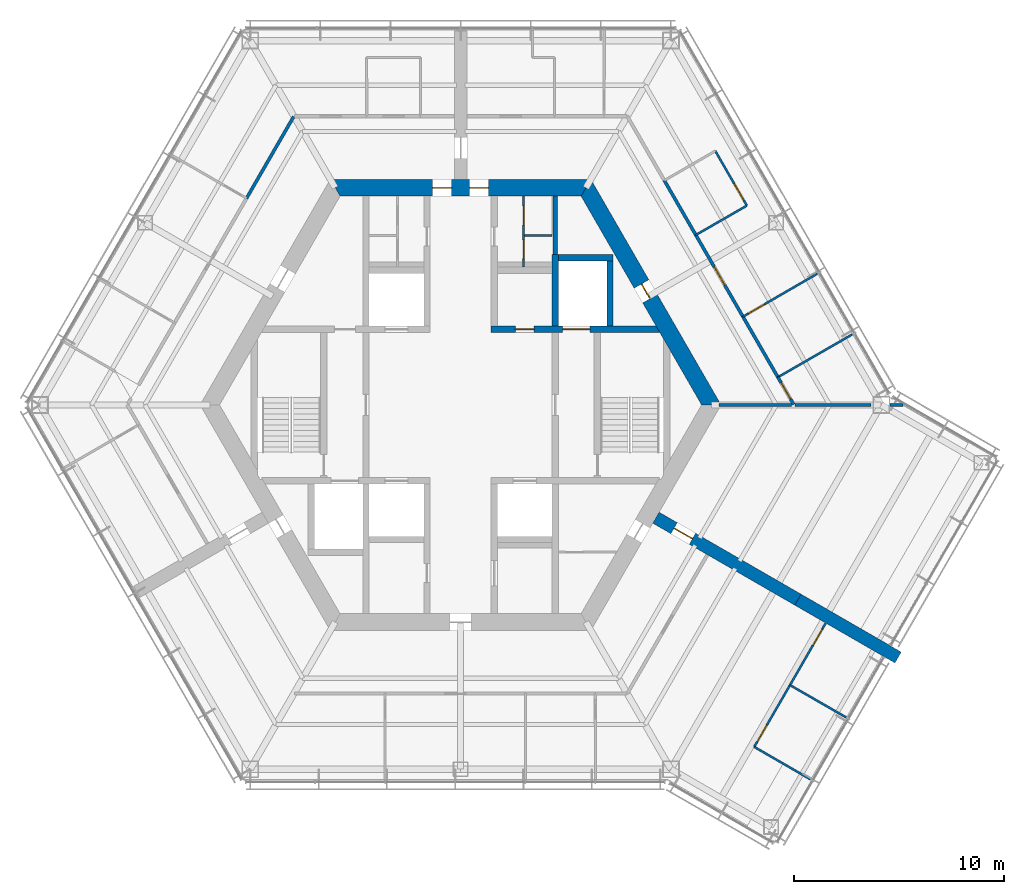
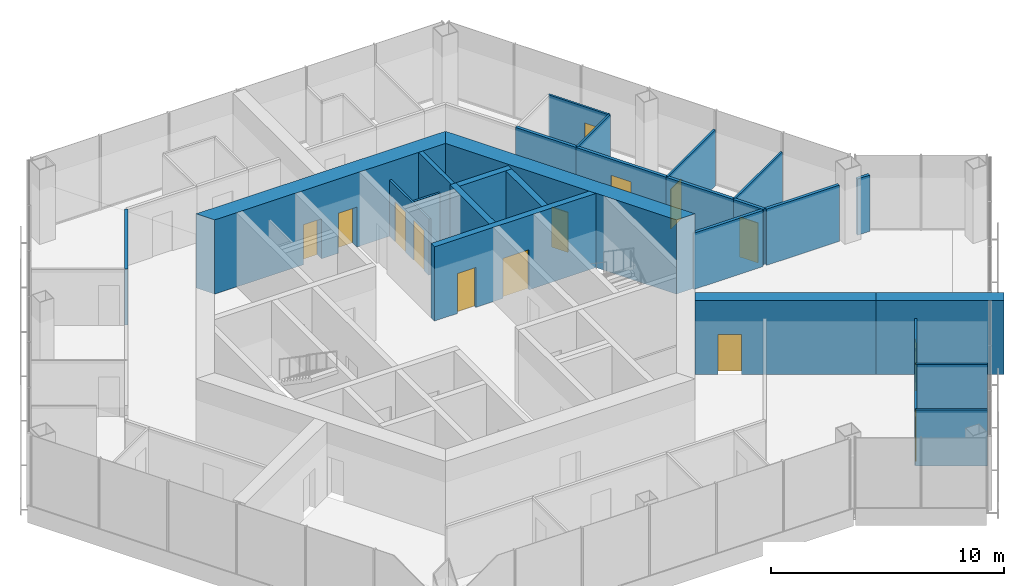
# One storey, part 9 of 13: 27 walls, 14 doors, 14 openings.
"""IFC4 building model written with IfcOpenShell, lengths in metres."""

from ifc_helpers import new_model, si_unit, direction, frame, frame_2d, origin, place, context, subcontext, project, spatial, polyline, rectangle, outline, extrude, material, layer, layer_set, type_object, element, fill, save


model = new_model("IFC4")

# Units and contexts
model_context = context("Model", 3, precision=1e-05, world=origin(), true_north=direction((0.0, 1.0)))
body_context = subcontext(model_context, "Body", "Model", "MODEL_VIEW")
ifc_project = project(units=[si_unit("LENGTHUNIT", "METRE"), si_unit("AREAUNIT", "SQUARE_METRE"), si_unit("VOLUMEUNIT", "CUBIC_METRE"), si_unit("PLANEANGLEUNIT", "RADIAN"), si_unit("MASSUNIT", "GRAM", prefix="KILO")], contexts=[model_context])

# Site, building, storey
site_placement = place(None, origin())
site = spatial("IfcSite", under=ifc_project, at=site_placement, CompositionType="ELEMENT")
building_placement = place(site_placement, origin())
building = spatial("IfcBuilding", under=site, at=building_placement, Name="Kasaneha Research Tower", CompositionType="ELEMENT")
storey_placement = place(building_placement, frame((0.0, 0.0, 275.199951171875)))
storey = spatial("IfcBuildingStorey", under=building, at=storey_placement, Name="L69", CompositionType="ELEMENT", Elevation=275.199951171875)

# Wall, openings, doors
ifc_material_1 = material(Name="Concrete Fc60", Category="concrete")
ifc_layer_1 = layer(ifc_material_1, 0.300048828125)
ifc_layer_set_1 = layer_set([ifc_layer_1], Name="Core internal wall 300 Fc60")
wall_type_1 = type_object("IfcWallType", Name="Core internal wall 300 Fc60", PredefinedType="SHEAR", material=ifc_layer_set_1)
wall_1_placement = place(storey_placement, frame((1.449951171875, 3.60009765625, 0.0), z_axis=(0.0, 0.0, 1.0), x_axis=(1.0, 0.0, 0.0)))
wall_1 = element("IfcWall", 1, at=wall_1_placement, inside=storey, type_object=wall_type_1, Name="Core wall W1E L69", PredefinedType="SHEAR", context=body_context, shape_type="SweptSolid", body=[
    extrude(outline(polyline([(0.0, -0.14990234375), (1.14990234375, -0.14990234375), (2.0498046875, -0.14990234375), (3.39990234375, -0.14990234375), (4.699951171875, -0.14990234375), (8.0185546875, -0.14990234375), (7.84521484375, 0.14990234375), (4.699951171875, 0.14990234375), (3.39990234375, 0.14990234375), (2.0498046875, 0.14990234375), (1.14990234375, 0.14990234375), (0.0, 0.14990234375), (0.0, -0.14990234375)])), origin(), (0.0, 0.0, 1.0), 3.900146484375),
])
opening_1_placement = place(wall_1_placement, frame((1.14990234375, 0.0, 0.0)))
opening_1 = element("IfcOpeningElement", 2, at=opening_1_placement, cuts=wall_1, Name="Opening L69-D17", PredefinedType="OPENING", context=body_context, shape_type="SweptSolid", body=[
    extrude(rectangle(XDim=0.89990234375, YDim=2.10009765625, at=frame_2d((0.449951171875, 1.050048828125))), frame((0.0, 0.16015625, 0.0), z_axis=(0.0, -1.0, 0.0), x_axis=(1.0, 0.0, 0.0)), (0.0, 0.0, 1.0), 0.320068359375),
])
opening_2_placement = place(wall_1_placement, frame((3.39990234375, 0.0, 0.0)))
opening_2 = element("IfcOpeningElement", 3, at=opening_2_placement, cuts=wall_1, Name="Opening LD-FL1-L69", PredefinedType="OPENING", context=body_context, shape_type="SweptSolid", body=[
    extrude(rectangle(XDim=1.300048828125, YDim=2.10009765625, at=frame_2d((0.64990234375, 1.050048828125))), frame((0.0, 0.16015625, 0.0), z_axis=(0.0, -1.0, 0.0), x_axis=(1.0, 0.0, 0.0)), (0.0, 0.0, 1.0), 0.320068359375),
])
ifc_material_2 = material(Name="Steel", Category="steel")
door_type_1 = type_object("IfcDoorType", Name="Lift landing door 1300x2100", OperationType="DOUBLE_DOOR_SLIDING", PredefinedType="DOOR", material=ifc_material_2)
door_1_placement = place(opening_2_placement, origin())
door_1 = element("IfcDoor", 4, at=door_1_placement, inside=storey, type_object=door_type_1, Name="Landing door FL1 LD-FL1-L69", OperationType="DOUBLE_DOOR_SLIDING", OverallHeight=2.10009765625, OverallWidth=1.300048828125, PredefinedType="DOOR", context=body_context, shape_type="SweptSolid", body=[
    extrude(rectangle(XDim=1.300048828125, YDim=2.10009765625, at=frame_2d((0.64990234375, 1.050048828125))), frame((0.0, 0.02490234375, 0.0), z_axis=(0.0, -1.0, 0.0), x_axis=(1.0, 0.0, 0.0)), (0.0, 0.0, 1.0), 0.050048828125),
])
fill(opening_2, door_1)
ifc_material_3 = material(Name="Steel", Category="steel")
door_type_2 = type_object("IfcDoorType", Name="Shaft room door FD60 900x2100", OperationType="NOTDEFINED", PredefinedType="DOOR", material=ifc_material_3)
door_2_placement = place(opening_1_placement, origin())
door_2 = element("IfcDoor", 5, at=door_2_placement, inside=storey, type_object=door_type_2, Name="Mail room door L69-D17", OperationType="SINGLE_SWING_LEFT", OverallHeight=2.10009765625, OverallWidth=0.89990234375, PredefinedType="DOOR", context=body_context, shape_type="SweptSolid", body=[
    extrude(rectangle(XDim=0.89990234375, YDim=2.10009765625, at=frame_2d((0.449951171875, 1.050048828125))), frame((0.0, 0.02490234375, 0.0), z_axis=(0.0, -1.0, 0.0), x_axis=(1.0, 0.0, 0.0)), (0.0, 0.0, 1.0), 0.050048828125),
])
fill(opening_1, door_2)

# Walls
wall_2_placement = place(storey_placement, frame((4.5, 3.75, 0.0), z_axis=(0.0, 0.0, 1.0), x_axis=(0.0, 1.0, 0.0)))
element("IfcWall", 6, at=wall_2_placement, inside=storey, type_object=wall_type_1, Name="Core wall FNE L69", PredefinedType="SHEAR", context=body_context, shape_type="SweptSolid", body=[
    extrude(rectangle(XDim=3.39990234375, YDim=0.300048828125, at=frame_2d((1.699951171875, 0.0))), origin(), (0.0, 0.0, 1.0), 3.900146484375),
])
wall_3_placement = place(storey_placement, frame((4.64990234375, 7.0, 0.0), z_axis=(0.0, 0.0, 1.0), x_axis=(1.0, 0.0, 0.0)))
element("IfcWall", 7, at=wall_3_placement, inside=storey, type_object=wall_type_1, Name="Core wall F1N L69", PredefinedType="SHEAR", context=body_context, shape_type="SweptSolid", body=[
    extrude(rectangle(XDim=2.60009765625, YDim=0.300048828125, at=frame_2d((1.300048828125, 0.0))), origin(), (0.0, 0.0, 1.0), 3.900146484375),
])
wall_4_placement = place(storey_placement, frame((7.10009765625, 3.75, 0.0), z_axis=(0.0, 0.0, 1.0), x_axis=(0.0, 1.0, 0.0)))
element("IfcWall", 8, at=wall_4_placement, inside=storey, type_object=wall_type_1, Name="Core wall F1E L69", PredefinedType="SHEAR", context=body_context, shape_type="SweptSolid", body=[
    extrude(rectangle(XDim=3.10009765625, YDim=0.300048828125, at=frame_2d((1.550048828125, 0.0))), origin(), (0.0, 0.0, 1.0), 3.900146484375),
])

# Wall, opening, door
ifc_material_4 = material(Name="Concrete Fc60", Category="concrete")
ifc_layer_2 = layer(ifc_material_4, 0.800048828125)
ifc_layer_set_2 = layer_set([ifc_layer_2], Name="Core wall 800 Fc60")
wall_type_2 = type_object("IfcWallType", Name="Core wall 800 Fc60", PredefinedType="SHEAR", material=ifc_layer_set_2)
wall_5_placement = place(storey_placement, frame((11.92236328125, 0.0, 0.0), z_axis=(0.0, 0.0, 1.0), x_axis=(-0.500004296715, 0.866022923061, 0.0)))
wall_5 = element("IfcWall", 9, at=wall_5_placement, inside=storey, type_object=wall_type_2, Name="Core wall 030 L69", PredefinedType="SHEAR", context=body_context, shape_type="SweptSolid", body=[
    extrude(outline(polyline([(-0.23095703125, -0.39990234375), (5.83544921875, -0.39990234375), (6.635498046875, -0.39990234375), (12.1533203125, -0.39990234375), (11.69140625, 0.39990234375), (6.635498046875, 0.39990234375), (5.83544921875, 0.39990234375), (0.23095703125, 0.39990234375), (-0.23095703125, -0.39990234375)])), origin(), (0.0, 0.0, 1.0), 3.900146484375),
])
opening_3_placement = place(wall_5_placement, frame((5.83544921875, 0.0, 0.0)))
opening_3 = element("IfcOpeningElement", 10, at=opening_3_placement, cuts=wall_5, Name="Opening L69-D04", PredefinedType="OPENING", context=body_context, shape_type="SweptSolid", body=[
    extrude(rectangle(XDim=0.800048828125, YDim=2.10009765625, at=frame_2d((0.39990234375, 1.050048828125))), frame((0.0, 0.41015625, 0.0), z_axis=(0.0, -1.0, 0.0), x_axis=(1.0, 0.0, 0.0)), (0.0, 0.0, 1.0), 0.820068359375),
])
ifc_material_5 = material(Name="Steel", Category="steel")
door_type_3 = type_object("IfcDoorType", Name="Riser access door FD60 800x2100", OperationType="NOTDEFINED", PredefinedType="DOOR", material=ifc_material_5)
door_3_placement = place(opening_3_placement, origin())
door_3 = element("IfcDoor", 11, at=door_3_placement, inside=storey, type_object=door_type_3, Name="Pipe riser door L69-D04", OperationType="SINGLE_SWING_RIGHT", OverallHeight=2.10009765625, OverallWidth=0.800048828125, PredefinedType="DOOR", context=body_context, shape_type="SweptSolid", body=[
    extrude(rectangle(XDim=0.800048828125, YDim=2.10009765625, at=frame_2d((0.39990234375, 1.050048828125))), frame((0.0, 0.02490234375, 0.0), z_axis=(0.0, -1.0, 0.0), x_axis=(1.0, 0.0, 0.0)), (0.0, 0.0, 1.0), 0.050048828125),
])
fill(opening_3, door_3)

# Wall, openings, doors
wall_6_placement = place(storey_placement, frame((5.961181640625, 10.324951171875, 0.0), z_axis=(0.0, 0.0, 1.0), x_axis=(-1.0, 0.0, 0.0)))
wall_6 = element("IfcWall", 12, at=wall_6_placement, inside=storey, type_object=wall_type_2, Name="Core wall 090 L69", PredefinedType="SHEAR", context=body_context, shape_type="SweptSolid", body=[
    extrude(outline(polyline([(-0.23095703125, -0.39990234375), (4.63623046875, -0.39990234375), (5.5361328125, -0.39990234375), (6.38623046875, -0.39990234375), (7.2861328125, -0.39990234375), (12.1533203125, -0.39990234375), (11.69140625, 0.39990234375), (7.2861328125, 0.39990234375), (6.38623046875, 0.39990234375), (5.5361328125, 0.39990234375), (4.63623046875, 0.39990234375), (0.23095703125, 0.39990234375), (-0.23095703125, -0.39990234375)])), origin(), (0.0, 0.0, 1.0), 3.900146484375),
])
opening_4_placement = place(wall_6_placement, frame((6.38623046875, 0.0, 0.0)))
opening_4 = element("IfcOpeningElement", 13, at=opening_4_placement, cuts=wall_6, Name="Opening L69-D01", PredefinedType="OPENING", context=body_context, shape_type="SweptSolid", body=[
    extrude(rectangle(XDim=0.89990234375, YDim=2.10009765625, at=frame_2d((0.449951171875, 1.050048828125))), frame((0.0, 0.41015625, 0.0), z_axis=(0.0, -1.0, 0.0), x_axis=(1.0, 0.0, 0.0)), (0.0, 0.0, 1.0), 0.820068359375),
])
opening_5_placement = place(wall_6_placement, frame((4.63623046875, 0.0, 0.0)))
opening_5 = element("IfcOpeningElement", 14, at=opening_5_placement, cuts=wall_6, Name="Opening L69-D02", PredefinedType="OPENING", context=body_context, shape_type="SweptSolid", body=[
    extrude(rectangle(XDim=0.89990234375, YDim=2.10009765625, at=frame_2d((0.449951171875, 1.050048828125))), frame((0.0, 0.41015625, 0.0), z_axis=(0.0, -1.0, 0.0), x_axis=(1.0, 0.0, 0.0)), (0.0, 0.0, 1.0), 0.820068359375),
])
ifc_material_6 = material(Name="Steel", Category="steel")
door_type_4 = type_object("IfcDoorType", Name="Toilet door FD20 900x2100", OperationType="NOTDEFINED", PredefinedType="DOOR", material=ifc_material_6)
door_4_placement = place(opening_4_placement, origin())
door_4 = element("IfcDoor", 15, at=door_4_placement, inside=storey, type_object=door_type_4, Name="Core door north 1 L69-D01", OperationType="SINGLE_SWING_RIGHT", OverallHeight=2.10009765625, OverallWidth=0.89990234375, PredefinedType="DOOR", context=body_context, shape_type="SweptSolid", body=[
    extrude(rectangle(XDim=0.89990234375, YDim=2.10009765625, at=frame_2d((0.449951171875, 1.050048828125))), frame((0.0, 0.02490234375, 0.0), z_axis=(0.0, -1.0, 0.0), x_axis=(1.0, 0.0, 0.0)), (0.0, 0.0, 1.0), 0.050048828125),
])
fill(opening_4, door_4)
door_5_placement = place(opening_5_placement, origin())
door_5 = element("IfcDoor", 16, at=door_5_placement, inside=storey, type_object=door_type_4, Name="Core door north 2 L69-D02", OperationType="SINGLE_SWING_LEFT", OverallHeight=2.10009765625, OverallWidth=0.89990234375, PredefinedType="DOOR", context=body_context, shape_type="SweptSolid", body=[
    extrude(rectangle(XDim=0.89990234375, YDim=2.10009765625, at=frame_2d((0.449951171875, 1.050048828125))), frame((0.0, 0.02490234375, 0.0), z_axis=(0.0, -1.0, 0.0), x_axis=(1.0, 0.0, 0.0)), (0.0, 0.0, 1.0), 0.050048828125),
])
fill(opening_5, door_5)

ifc_material_7 = material(Name="Gypsum board on steel studs, one layer each side", Category="steel")
ifc_layer_3 = layer(ifc_material_7, 0.10009765625)
ifc_layer_set_3 = layer_set([ifc_layer_3], Name="Office partition 100")
wall_type_3 = type_object("IfcWallType", Name="Office partition 100", PredefinedType="PARTITIONING", material=ifc_layer_set_3)
wall_7_placement = place(storey_placement, frame((3.0, 6.550048828125, 0.0), z_axis=(0.0, 0.0, 1.0), x_axis=(0.0, 1.0, 0.0)))
wall_7 = element("IfcWall", 17, at=wall_7_placement, inside=storey, type_object=wall_type_3, Name="Office partition TBF1 L69", PredefinedType="PARTITIONING", context=body_context, shape_type="SweptSolid", body=[
    extrude(rectangle(XDim=3.375, YDim=0.10009765625, at=frame_2d((1.6875, 0.0))), origin(), (0.0, 0.0, 1.0), 2.949951171875),
])
opening_6_placement = place(wall_7_placement, frame((2.012451171875, 0.0, 0.0)))
opening_6 = element("IfcOpeningElement", 18, at=opening_6_placement, cuts=wall_7, Name="Opening L69-D23", PredefinedType="OPENING", context=body_context, shape_type="SweptSolid", body=[
    extrude(rectangle(XDim=0.89990234375, YDim=2.10009765625, at=frame_2d((0.449951171875, 1.050048828125))), frame((0.0, 0.06005859375, 0.0), z_axis=(0.0, -1.0, 0.0), x_axis=(1.0, 0.0, 0.0)), (0.0, 0.0, 1.0), 0.1201171875),
])
opening_7_placement = place(wall_7_placement, frame((0.39990234375, 0.0, 0.0)))
opening_7 = element("IfcOpeningElement", 19, at=opening_7_placement, cuts=wall_7, Name="Opening L69-D24", PredefinedType="OPENING", context=body_context, shape_type="SweptSolid", body=[
    extrude(rectangle(XDim=0.89990234375, YDim=2.10009765625, at=frame_2d((0.449951171875, 1.050048828125))), frame((0.0, 0.06005859375, 0.0), z_axis=(0.0, -1.0, 0.0), x_axis=(1.0, 0.0, 0.0)), (0.0, 0.0, 1.0), 0.1201171875),
])
ifc_material_8 = material(Name="Steel", Category="steel")
door_type_5 = type_object("IfcDoorType", Name="Toilet lobby door FD30 900x2100", OperationType="NOTDEFINED", PredefinedType="DOOR", material=ifc_material_8)
door_6_placement = place(opening_6_placement, origin())
door_6 = element("IfcDoor", 20, at=door_6_placement, inside=storey, type_object=door_type_5, Name="Women's WC door L69-D23", OperationType="SINGLE_SWING_RIGHT", OverallHeight=2.10009765625, OverallWidth=0.89990234375, PredefinedType="DOOR", context=body_context, shape_type="SweptSolid", body=[
    extrude(rectangle(XDim=0.89990234375, YDim=2.10009765625, at=frame_2d((0.449951171875, 1.050048828125))), frame((0.0, 0.02490234375, 0.0), z_axis=(0.0, -1.0, 0.0), x_axis=(1.0, 0.0, 0.0)), (0.0, 0.0, 1.0), 0.050048828125),
])
fill(opening_6, door_6)
door_7_placement = place(opening_7_placement, origin())
door_7 = element("IfcDoor", 21, at=door_7_placement, inside=storey, type_object=door_type_5, Name="Parents' room door L69-D24", OperationType="SINGLE_SWING_RIGHT", OverallHeight=2.10009765625, OverallWidth=0.89990234375, PredefinedType="DOOR", context=body_context, shape_type="SweptSolid", body=[
    extrude(rectangle(XDim=0.89990234375, YDim=2.10009765625, at=frame_2d((0.449951171875, 1.050048828125))), frame((0.0, 0.02490234375, 0.0), z_axis=(0.0, -1.0, 0.0), x_axis=(1.0, 0.0, 0.0)), (0.0, 0.0, 1.0), 0.050048828125),
])
fill(opening_7, door_7)

# Wall
wall_8_placement = place(storey_placement, frame((3.050048828125, 8.050048828125, 0.0), z_axis=(0.0, 0.0, 1.0), x_axis=(1.0, 0.0, 0.0)))
element("IfcWall", 22, at=wall_8_placement, inside=storey, type_object=wall_type_3, Name="Office partition TBF2 L69", PredefinedType="PARTITIONING", context=body_context, shape_type="SweptSolid", body=[
    extrude(rectangle(XDim=1.300048828125, YDim=0.10009765625, at=frame_2d((0.64990234375, 0.0))), origin(), (0.0, 0.0, 1.0), 2.949951171875),
])

# Wall, opening, door
wall_9_placement = place(storey_placement, frame((12.111083984375, 12.072998046875, 0.0), z_axis=(0.0, 0.0, 1.0), x_axis=(0.499990139034, -0.866031096941, 0.0)))
wall_9 = element("IfcWall", 23, at=wall_9_placement, inside=storey, type_object=wall_type_3, Name="Office partition FAE13 L69", PredefinedType="PARTITIONING", context=body_context, shape_type="SweptSolid", body=[
    extrude(rectangle(XDim=3.0, YDim=0.10009765625, at=frame_2d((1.5, 0.0))), origin(), (0.0, 0.0, 1.0), 2.949951171875),
])
opening_8_placement = place(wall_9_placement, frame((1.800048828125, 0.0, 0.0)))
opening_8 = element("IfcOpeningElement", 24, at=opening_8_placement, cuts=wall_9, Name="Opening L69-D29", PredefinedType="OPENING", context=body_context, shape_type="SweptSolid", body=[
    extrude(rectangle(XDim=0.89990234375, YDim=2.10009765625, at=frame_2d((0.449951171875, 1.050048828125))), frame((0.0, 0.06005859375, 0.0), z_axis=(0.0, -1.0, 0.0), x_axis=(1.0, 0.0, 0.0)), (0.0, 0.0, 1.0), 0.1201171875),
])
ifc_material_9 = material(Name="Timber veneer", Category="wood")
door_type_6 = type_object("IfcDoorType", Name="Office door 900x2100", OperationType="SINGLE_SWING_LEFT", PredefinedType="DOOR", material=ifc_material_9)
door_8_placement = place(opening_8_placement, origin())
door_8 = element("IfcDoor", 25, at=door_8_placement, inside=storey, type_object=door_type_6, Name="Pantry door L69-D29", OperationType="SINGLE_SWING_RIGHT", OverallHeight=2.10009765625, OverallWidth=0.89990234375, PredefinedType="DOOR", context=body_context, shape_type="SweptSolid", body=[
    extrude(rectangle(XDim=0.89990234375, YDim=2.10009765625, at=frame_2d((0.449951171875, 1.050048828125))), frame((0.0, 0.02490234375, 0.0), z_axis=(0.0, -1.0, 0.0), x_axis=(1.0, 0.0, 0.0)), (0.0, 0.0, 1.0), 0.050048828125),
])
fill(opening_8, door_8)

# Walls
wall_10_placement = place(storey_placement, frame((13.611083984375, 9.474853515625, 0.0), z_axis=(0.0, 0.0, 1.0), x_axis=(-0.866833758708, -0.498597267105, 0.0)))
element("IfcWall", 26, at=wall_10_placement, inside=storey, type_object=wall_type_3, Name="Office partition FAE14 L69", PredefinedType="PARTITIONING", context=body_context, shape_type="SweptSolid", body=[
    extrude(rectangle(XDim=2.7998046875, YDim=0.10009765625, at=frame_2d((1.39990234375, 0.0))), origin(), (0.0, 0.0, 1.0), 2.949951171875),
])
wall_11_placement = place(storey_placement, frame((18.619873046875, 3.3505859375, 0.0), z_axis=(0.0, 0.0, 1.0), x_axis=(-0.866635015839, -0.498942631293, 0.0)))
element("IfcWall", 27, at=wall_11_placement, inside=storey, type_object=wall_type_3, Name="Office partition FAE15 L69", PredefinedType="PARTITIONING", context=body_context, shape_type="SweptSolid", body=[
    extrude(rectangle(XDim=4.075439453125, YDim=0.10009765625, at=frame_2d((2.03759765625, 0.0))), origin(), (0.0, 0.0, 1.0), 2.949951171875),
])

# Wall, opening, door
wall_12_placement = place(storey_placement, frame((13.427001953125, 4.193603515625, 0.0), z_axis=(0.0, 0.0, 1.0), x_axis=(0.865490372379, 0.500925558661, 0.0)))
wall_12 = element("IfcWall", 28, at=wall_12_placement, inside=storey, type_object=wall_type_3, Name="Office partition FAE16 L69", PredefinedType="PARTITIONING", context=body_context, shape_type="SweptSolid", body=[
    extrude(rectangle(XDim=4.085693359375, YDim=0.10009765625, at=frame_2d((2.04296875, 0.0))), origin(), (0.0, 0.0, 1.0), 2.949951171875),
])
opening_9_placement = place(wall_12_placement, frame((0.300048828125, 0.0, 0.0)))
opening_9 = element("IfcOpeningElement", 29, at=opening_9_placement, cuts=wall_12, Name="Opening L69-D30", PredefinedType="OPENING", context=body_context, shape_type="SweptSolid", body=[
    extrude(rectangle(XDim=0.89990234375, YDim=2.10009765625, at=frame_2d((0.449951171875, 1.050048828125))), frame((0.0, 0.06005859375, 0.0), z_axis=(0.0, -1.0, 0.0), x_axis=(1.0, 0.0, 0.0)), (0.0, 0.0, 1.0), 0.1201171875),
])
door_9_placement = place(opening_9_placement, origin())
door_9 = element("IfcDoor", 30, at=door_9_placement, inside=storey, type_object=door_type_6, Name="Meeting room door L69-D30", OperationType="SINGLE_SWING_LEFT", OverallHeight=2.10009765625, OverallWidth=0.89990234375, PredefinedType="DOOR", context=body_context, shape_type="SweptSolid", body=[
    extrude(rectangle(XDim=0.89990234375, YDim=2.10009765625, at=frame_2d((0.449951171875, 1.050048828125))), frame((0.0, 0.02490234375, 0.0), z_axis=(0.0, -1.0, 0.0), x_axis=(1.0, 0.0, 0.0)), (0.0, 0.0, 1.0), 0.050048828125),
])
fill(opening_9, door_9)

# Wall
wall_13_placement = place(storey_placement, frame((15.658935546875, -13.31884765625, 0.0), z_axis=(0.0, 0.0, 1.0), x_axis=(0.866844641549, -0.498578346319, 0.0)))
element("IfcWall", 31, at=wall_13_placement, inside=storey, type_object=wall_type_3, Name="Office partition FCS09 L69", PredefinedType="PARTITIONING", context=body_context, shape_type="SweptSolid", body=[
    extrude(rectangle(XDim=3.080078125, YDim=0.10009765625, at=frame_2d((1.5400390625, 0.0))), origin(), (0.0, 0.0, 1.0), 2.949951171875),
])

# Wall, opening, door
wall_14_placement = place(storey_placement, frame((13.96142578125, -16.259033203125, 0.0), z_axis=(0.0, 0.0, 1.0), x_axis=(0.501149490816, 0.865360727012, 0.0)))
wall_14 = element("IfcWall", 32, at=wall_14_placement, inside=storey, type_object=wall_type_3, Name="Office partition FCS10 L69", PredefinedType="PARTITIONING", context=body_context, shape_type="SweptSolid", body=[
    extrude(rectangle(XDim=3.39990234375, YDim=0.10009765625, at=frame_2d((1.699951171875, 0.0))), origin(), (0.0, 0.0, 1.0), 2.949951171875),
])
opening_10_placement = place(wall_14_placement, frame((0.300048828125, 0.0, 0.0)))
opening_10 = element("IfcOpeningElement", 33, at=opening_10_placement, cuts=wall_14, Name="Opening L69-D43", PredefinedType="OPENING", context=body_context, shape_type="SweptSolid", body=[
    extrude(rectangle(XDim=0.89990234375, YDim=2.10009765625, at=frame_2d((0.449951171875, 1.050048828125))), frame((0.0, 0.06005859375, 0.0), z_axis=(0.0, -1.0, 0.0), x_axis=(1.0, 0.0, 0.0)), (0.0, 0.0, 1.0), 0.1201171875),
])
door_10_placement = place(opening_10_placement, origin())
door_10 = element("IfcDoor", 34, at=door_10_placement, inside=storey, type_object=door_type_6, Name="Project room door L69-D43", OperationType="SINGLE_SWING_LEFT", OverallHeight=2.10009765625, OverallWidth=0.89990234375, PredefinedType="DOOR", context=body_context, shape_type="SweptSolid", body=[
    extrude(rectangle(XDim=0.89990234375, YDim=2.10009765625, at=frame_2d((0.449951171875, 1.050048828125))), frame((0.0, 0.02490234375, 0.0), z_axis=(0.0, -1.0, 0.0), x_axis=(1.0, 0.0, 0.0)), (0.0, 0.0, 1.0), 0.050048828125),
])
fill(opening_10, door_10)

# Wall
wall_15_placement = place(storey_placement, frame((16.62890625, -17.799072265625, 0.0), z_axis=(0.0, 0.0, 1.0), x_axis=(-0.866029832698, 0.499992328818, 0.0)))
element("IfcWall", 35, at=wall_15_placement, inside=storey, type_object=wall_type_3, Name="Office partition FCS11 L69", PredefinedType="PARTITIONING", context=body_context, shape_type="SweptSolid", body=[
    extrude(rectangle(XDim=3.080078125, YDim=0.10009765625, at=frame_2d((1.5400390625, 0.0))), origin(), (0.0, 0.0, 1.0), 2.949951171875),
])

# Wall, opening, door
wall_16_placement = place(storey_placement, frame((15.665283203125, -13.31689453125, 0.0), z_axis=(0.0, 0.0, 1.0), x_axis=(0.498882251571, 0.866669775098, 0.0)))
wall_16 = element("IfcWall", 36, at=wall_16_placement, inside=storey, type_object=wall_type_3, Name="Office partition FCS12 L69", PredefinedType="PARTITIONING", context=body_context, shape_type="SweptSolid", body=[
    extrude(rectangle(XDim=3.380126953125, YDim=0.10009765625, at=frame_2d((1.68994140625, 0.0))), origin(), (0.0, 0.0, 1.0), 2.949951171875),
])
opening_11_placement = place(wall_16_placement, frame((2.179931640625, 0.0, 0.0)))
opening_11 = element("IfcOpeningElement", 37, at=opening_11_placement, cuts=wall_16, Name="Opening L69-D44", PredefinedType="OPENING", context=body_context, shape_type="SweptSolid", body=[
    extrude(rectangle(XDim=0.89990234375, YDim=2.10009765625, at=frame_2d((0.449951171875, 1.050048828125))), frame((0.0, 0.06005859375, 0.0), z_axis=(0.0, -1.0, 0.0), x_axis=(1.0, 0.0, 0.0)), (0.0, 0.0, 1.0), 0.1201171875),
])
door_11_placement = place(opening_11_placement, origin())
door_11 = element("IfcDoor", 38, at=door_11_placement, inside=storey, type_object=door_type_6, Name="Workroom door L69-D44", OperationType="SINGLE_SWING_RIGHT", OverallHeight=2.10009765625, OverallWidth=0.89990234375, PredefinedType="DOOR", context=body_context, shape_type="SweptSolid", body=[
    extrude(rectangle(XDim=0.89990234375, YDim=2.10009765625, at=frame_2d((0.449951171875, 1.050048828125))), frame((0.0, 0.02490234375, 0.0), z_axis=(0.0, -1.0, 0.0), x_axis=(1.0, 0.0, 0.0)), (0.0, 0.0, 1.0), 0.050048828125),
])
fill(opening_11, door_11)

# Wall
ifc_material_10 = material(Name="Concrete block", Category="concrete")
ifc_layer_4 = layer(ifc_material_10, 0.199951171875)
ifc_layer_set_4 = layer_set([ifc_layer_4], Name="Riser enclosure wall 200")
wall_type_4 = type_object("IfcWallType", Name="Riser enclosure wall 200", PredefinedType="STANDARD", material=ifc_layer_set_4)
wall_17_placement = place(storey_placement, frame((4.5, 7.14990234375, 0.0), z_axis=(0.0, 0.0, 1.0), x_axis=(0.0, 1.0, 0.0)))
element("IfcWall", 39, at=wall_17_placement, inside=storey, type_object=wall_type_4, Name="Riser enclosure wall L69", PredefinedType="STANDARD", context=body_context, shape_type="SweptSolid", body=[
    extrude(rectangle(XDim=2.775146484375, YDim=0.199951171875, at=frame_2d((1.3876953125, 0.0))), origin(), (0.0, 0.0, 1.0), 3.900146484375),
])

# Wall, opening, door
ifc_material_11 = material(Name="Concrete Fc60", Category="concrete")
ifc_layer_5 = layer(ifc_material_11, 0.60009765625)
ifc_layer_set_5 = layer_set([ifc_layer_5], Name="Spine wall 600 Fc60")
wall_type_5 = type_object("IfcWallType", Name="Spine wall 600 Fc60", PredefinedType="SHEAR", material=ifc_layer_set_5)
wall_18_placement = place(storey_placement, frame((9.2880859375, -5.362548828125, 0.0), z_axis=(0.0, 0.0, 1.0), x_axis=(0.866031736626, -0.499989031036, 0.0)))
wall_18 = element("IfcWall", 40, at=wall_18_placement, inside=storey, type_object=wall_type_5, Name="Spine wall C L69", PredefinedType="SHEAR", context=body_context, shape_type="SweptSolid", body=[
    extrude(rectangle(XDim=7.795654296875, YDim=0.60009765625, at=frame_2d((3.89794921875, 0.0))), origin(), (0.0, 0.0, 1.0), 3.900146484375),
])
opening_12_placement = place(wall_18_placement, frame((1.0, 0.0, 0.0)))
opening_12 = element("IfcOpeningElement", 41, at=opening_12_placement, cuts=wall_18, Name="Opening L69-D20", PredefinedType="OPENING", context=body_context, shape_type="SweptSolid", body=[
    extrude(rectangle(XDim=1.0, YDim=2.10009765625, at=frame_2d((0.5, 1.050048828125))), frame((0.0, 0.31005859375, 0.0), z_axis=(0.0, -1.0, 0.0), x_axis=(1.0, 0.0, 0.0)), (0.0, 0.0, 1.0), 0.6201171875),
])
ifc_material_12 = material(Name="Steel", Category="steel")
door_type_7 = type_object("IfcDoorType", Name="Specified fire door FD60 1000x2100", OperationType="NOTDEFINED", PredefinedType="DOOR", material=ifc_material_12)
door_12_placement = place(opening_12_placement, origin())
door_12 = element("IfcDoor", 42, at=door_12_placement, inside=storey, type_object=door_type_7, Name="Spine doorway C L69-D20", OperationType="SINGLE_SWING_LEFT", OverallHeight=2.10009765625, OverallWidth=1.0, PredefinedType="DOOR", context=body_context, shape_type="SweptSolid", body=[
    extrude(rectangle(XDim=1.0, YDim=2.10009765625, at=frame_2d((0.5, 1.050048828125))), frame((0.0, 0.02490234375, 0.0), z_axis=(0.0, -1.0, 0.0), x_axis=(1.0, 0.0, 0.0)), (0.0, 0.0, 1.0), 0.050048828125),
])
fill(opening_12, door_12)

# Walls
wall_19_placement = place(storey_placement, frame((16.039306640625, -9.26025390625, 0.0), z_axis=(0.0, 0.0, 1.0), x_axis=(0.866027397988, -0.499996545922, 0.0)))
element("IfcWall", 43, at=wall_19_placement, inside=storey, type_object=wall_type_5, Name="Spine wall C wing L69", PredefinedType="SHEAR", context=body_context, shape_type="SweptSolid", body=[
    extrude(rectangle(XDim=5.5, YDim=0.60009765625, at=frame_2d((2.75, 0.0))), origin(), (0.0, 0.0, 1.0), 3.900146484375),
])
ifc_material_13 = material(Name="Gypsum board on steel studs, two layers each side", Category="steel")
ifc_layer_6 = layer(ifc_material_13, 0.14990234375)
ifc_layer_set_6 = layer_set([ifc_layer_6], Name="Suite partition 150")
wall_type_6 = type_object("IfcWallType", Name="Suite partition 150", PredefinedType="PARTITIONING", material=ifc_layer_set_6)
wall_20_placement = place(storey_placement, frame((9.68359375, 10.67724609375, 0.0), z_axis=(0.0, 0.0, 1.0), x_axis=(0.500038395149, -0.8660032352, 0.0)))
element("IfcWall", 44, at=wall_20_placement, inside=storey, type_object=wall_type_6, Name="Suite partition FAE02 L69", PredefinedType="PARTITIONING", context=body_context, shape_type="SweptSolid", body=[
    extrude(rectangle(XDim=3.010009765625, YDim=0.14990234375, at=frame_2d((1.5048828125, 0.0))), origin(), (0.0, 0.0, 1.0), 2.949951171875),
])
wall_21_placement = place(storey_placement, frame((13.42236328125, 4.201904296875, 0.0), z_axis=(0.0, 0.0, 1.0), x_axis=(0.499958601013, -0.866049304181, 0.0)))
element("IfcWall", 45, at=wall_21_placement, inside=storey, type_object=wall_type_6, Name="Suite partition FAE03 L69", PredefinedType="PARTITIONING", context=body_context, shape_type="SweptSolid", body=[
    extrude(rectangle(XDim=3.341064453125, YDim=0.14990234375, at=frame_2d((1.67041015625, 0.0))), origin(), (0.0, 0.0, 1.0), 2.949951171875),
])

# Wall, opening, door
wall_22_placement = place(storey_placement, frame((15.087890625, 1.317138671875, 0.0), z_axis=(0.0, 0.0, 1.0), x_axis=(0.499943519313, -0.866058010469, 0.0)))
wall_22 = element("IfcWall", 46, at=wall_22_placement, inside=storey, type_object=wall_type_6, Name="Suite partition FAE05 L69", PredefinedType="PARTITIONING", context=body_context, shape_type="SweptSolid", body=[
    extrude(rectangle(XDim=1.497802734375, YDim=0.14990234375, at=frame_2d((0.7490234375, 0.0))), origin(), (0.0, 0.0, 1.0), 2.949951171875),
])
opening_13_placement = place(wall_22_placement, frame((0.299072265625, 0.0, 0.0)))
opening_13 = element("IfcOpeningElement", 47, at=opening_13_placement, cuts=wall_22, Name="Opening L69-D27", PredefinedType="OPENING", context=body_context, shape_type="SweptSolid", body=[
    extrude(rectangle(XDim=0.89990234375, YDim=2.10009765625, at=frame_2d((0.449951171875, 1.050048828125))), frame((0.0, 0.0849609375, 0.0), z_axis=(0.0, -1.0, 0.0), x_axis=(1.0, 0.0, 0.0)), (0.0, 0.0, 1.0), 0.169921875),
])
door_13_placement = place(opening_13_placement, origin())
door_13 = element("IfcDoor", 48, at=door_13_placement, inside=storey, type_object=door_type_6, Name="Workroom door L69-D27", OperationType="SINGLE_SWING_RIGHT", OverallHeight=2.10009765625, OverallWidth=0.89990234375, PredefinedType="DOOR", context=body_context, shape_type="SweptSolid", body=[
    extrude(rectangle(XDim=0.89990234375, YDim=2.10009765625, at=frame_2d((0.449951171875, 1.050048828125))), frame((0.0, 0.02490234375, 0.0), z_axis=(0.0, -1.0, 0.0), x_axis=(1.0, 0.0, 0.0)), (0.0, 0.0, 1.0), 0.050048828125),
])
fill(opening_13, door_13)

wall_23_placement = place(storey_placement, frame((11.18408203125, 8.078857421875, 0.0), z_axis=(0.0, 0.0, 1.0), x_axis=(0.499961135754, -0.866047840905, 0.0)))
wall_23 = element("IfcWall", 49, at=wall_23_placement, inside=storey, type_object=wall_type_6, Name="Suite partition FAE08 L69", PredefinedType="PARTITIONING", context=body_context, shape_type="SweptSolid", body=[
    extrude(rectangle(XDim=4.486083984375, YDim=0.14990234375, at=frame_2d((2.2431640625, 0.0))), origin(), (0.0, 0.0, 1.0), 2.949951171875),
])
opening_14_placement = place(wall_23_placement, frame((1.7431640625, 0.0, 0.0)))
opening_14 = element("IfcOpeningElement", 50, at=opening_14_placement, cuts=wall_23, Name="Opening L69-D28", PredefinedType="OPENING", context=body_context, shape_type="SweptSolid", body=[
    extrude(rectangle(XDim=1.0, YDim=2.10009765625, at=frame_2d((0.5, 1.050048828125))), frame((0.0, 0.0849609375, 0.0), z_axis=(0.0, -1.0, 0.0), x_axis=(1.0, 0.0, 0.0)), (0.0, 0.0, 1.0), 0.169921875),
])
ifc_material_14 = material(Name="Steel", Category="steel")
door_type_8 = type_object("IfcDoorType", Name="Suite entrance door FD60 1000x2100", OperationType="NOTDEFINED", PredefinedType="DOOR", material=ifc_material_14)
door_14_placement = place(opening_14_placement, origin())
door_14 = element("IfcDoor", 51, at=door_14_placement, inside=storey, type_object=door_type_8, Name="Suite entrance door L69-D28", OperationType="SINGLE_SWING_LEFT", OverallHeight=2.10009765625, OverallWidth=1.0, PredefinedType="DOOR", context=body_context, shape_type="SweptSolid", body=[
    extrude(rectangle(XDim=1.0, YDim=2.10009765625, at=frame_2d((0.5, 1.050048828125))), frame((0.0, 0.02490234375, 0.0), z_axis=(0.0, -1.0, 0.0), x_axis=(1.0, 0.0, 0.0)), (0.0, 0.0, 1.0), 0.050048828125),
])
fill(opening_14, door_14)

# Walls
wall_24_placement = place(storey_placement, frame((-10.180908203125, 9.816162109375, 0.0), z_axis=(0.0, 0.0, 1.0), x_axis=(0.499975026679, 0.866039821658, 0.0)))
element("IfcWall", 52, at=wall_24_placement, inside=storey, type_object=wall_type_6, Name="Suite partition FBN02 L69", PredefinedType="PARTITIONING", context=body_context, shape_type="SweptSolid", body=[
    extrude(rectangle(XDim=4.490478515625, YDim=0.14990234375, at=frame_2d((2.2451171875, 0.0))), origin(), (0.0, 0.0, 1.0), 2.949951171875),
])
wall_25_placement = place(storey_placement, frame((19.5185546875, 0.0, 0.0), z_axis=(0.0, 0.0, 1.0), x_axis=(-1.0, 0.0, 0.0)))
element("IfcWall", 53, at=wall_25_placement, inside=storey, type_object=wall_type_6, Name="Suite partition closer PT4 L69", PredefinedType="PARTITIONING", context=body_context, shape_type="SweptSolid", body=[
    extrude(rectangle(XDim=3.61181640625, YDim=0.14990234375, at=frame_2d((1.805908203125, 0.0))), origin(), (0.0, 0.0, 1.0), 2.949951171875),
])
wall_26_placement = place(storey_placement, frame((12.2841796875, 0.0, 0.0), z_axis=(0.0, 0.0, 1.0), x_axis=(1.0, 0.0, 0.0)))
element("IfcWall", 54, at=wall_26_placement, inside=storey, type_object=wall_type_6, Name="Suite partition closer PT4 L69", PredefinedType="PARTITIONING", context=body_context, shape_type="SweptSolid", body=[
    extrude(rectangle(XDim=3.43896484375, YDim=0.14990234375, at=frame_2d((1.719482421875, 0.0))), origin(), (0.0, 0.0, 1.0), 2.949951171875),
])
wall_27_placement = place(storey_placement, frame((20.419921875, 0.0, 0.0), z_axis=(0.0, 0.0, 1.0), x_axis=(1.0, 0.0, 0.0)))
element("IfcWall", 55, at=wall_27_placement, inside=storey, type_object=wall_type_6, Name="Suite partition closer PT4 L69", PredefinedType="PARTITIONING", context=body_context, shape_type="SweptSolid", body=[
    extrude(rectangle(XDim=0.614013671875, YDim=0.14990234375, at=frame_2d((0.30712890625, 0.0))), origin(), (0.0, 0.0, 1.0), 2.949951171875),
])

save(model, "model.ifc")
